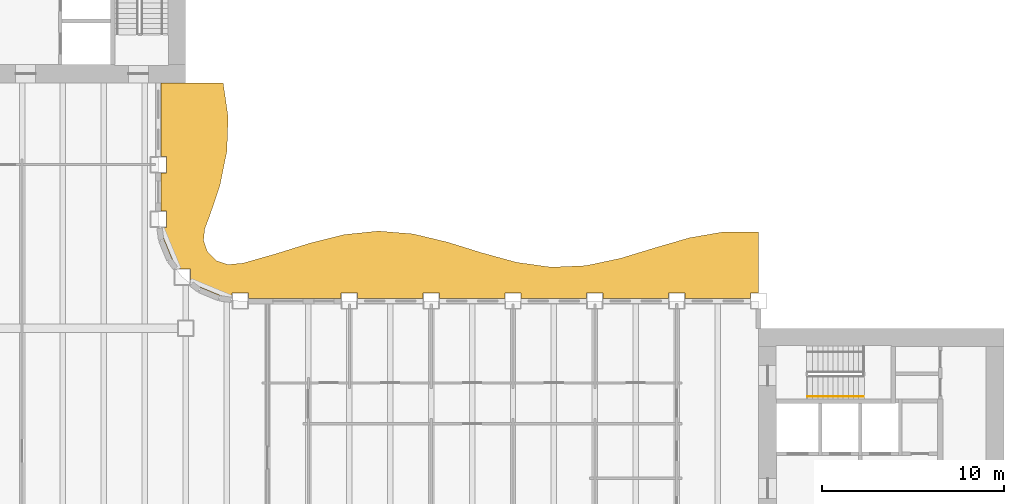
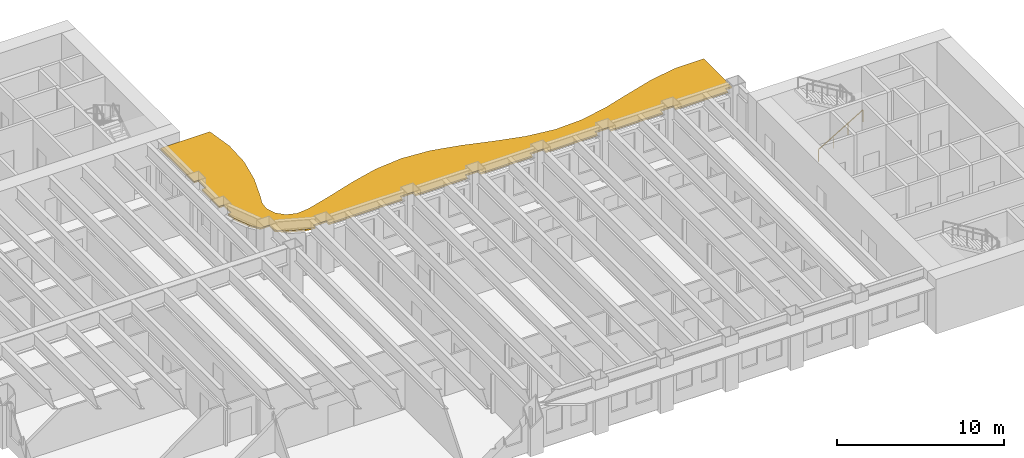
# One storey, part 14 of 16: 1 railing, 1 shading device.
"""IFC4 building model written with IfcOpenShell, lengths in metres."""

from ifc_helpers import new_model, si_unit, direction, frame, origin, origin_2d, place, context, subcontext, project, spatial, polyline, rectangle, outline, extrude, material, layer, layer_set, type_object, element, save


model = new_model("IFC4")

# Units and contexts
model_context = context("Model", 3, precision=1e-05, world=origin(), true_north=direction((0.0, 1.0)))
body_context = subcontext(model_context, "Body", "Model", "MODEL_VIEW")
ifc_project = project(units=[si_unit("LENGTHUNIT", "METRE"), si_unit("AREAUNIT", "SQUARE_METRE"), si_unit("VOLUMEUNIT", "CUBIC_METRE"), si_unit("PLANEANGLEUNIT", "RADIAN"), si_unit("MASSUNIT", "GRAM", prefix="KILO")], contexts=[model_context])

# Site, building, storey
site_placement = place(None, origin())
site = spatial("IfcSite", under=ifc_project, at=site_placement, CompositionType="ELEMENT")
building_placement = place(site_placement, origin())
building = spatial("IfcBuilding", under=site, at=building_placement, Name="Sennacour Bend Tower", CompositionType="ELEMENT")
storey_placement = place(building_placement, frame((0.0, 0.0, 179.0)))
storey = spatial("IfcBuildingStorey", under=building, at=storey_placement, Name="L41", CompositionType="ELEMENT", Elevation=179.0)

# Railing
ifc_material_1 = material(Name="Stainless steel", Category="steel")
railing_type = type_object("IfcRailingType", Name="RL-HANDRAIL-900", PredefinedType="HANDRAIL", material=ifc_material_1)
railing_placement = place(storey_placement, frame((56.699951171875, 18.75, 0.166748046875)))
element("IfcRailing", 1, at=railing_placement, inside=storey, type_object=railing_type, Name="L41 SA2 stair handrail 1", PredefinedType="HANDRAIL", context=body_context, shape_type="SweptSolid", body=[
    extrude(rectangle(XDim=0.048095703125, YDim=0.048095703125, at=origin_2d()), frame((0.0, 0.0, 0.8759765625), z_axis=(0.859308565015, 0.0, 0.511457515432), x_axis=(0.0, 1.0, 0.0)), (0.0, 0.0, 1.0), 3.58447265625),
    extrude(rectangle(XDim=0.0419921875, YDim=0.0419921875, at=origin_2d()), origin(), (0.0, 0.0, 1.0), 0.851806640625),
    extrude(rectangle(XDim=0.0419921875, YDim=0.0419921875, at=origin_2d()), frame((1.026611328125, 0.0, 0.611083984375)), (0.0, 0.0, 1.0), 0.851806640625),
    extrude(rectangle(XDim=0.0419921875, YDim=0.0419921875, at=origin_2d()), frame((2.053466796875, 0.0, 1.22216796875)), (0.0, 0.0, 1.0), 0.851806640625),
    extrude(rectangle(XDim=0.0419921875, YDim=0.0419921875, at=origin_2d()), frame((3.080078125, 0.0, 1.833251953125)), (0.0, 0.0, 1.0), 0.851806640625),
])

# Shading device
ifc_material_2 = material(Name="Bronze anodised aluminium", Category="aluminium")
ifc_layer = layer(ifc_material_2, 0.1201171875, Name="Bronze anodised aluminium", Category="aluminium")
ifc_layer_set = layer_set([ifc_layer], Name="Bronze anodised aluminium")
shading_device_type = type_object("IfcShadingDeviceType", Name="SUNSHADE BAND WAVE", PredefinedType="USERDEFINED", material=ifc_layer_set)
shading_device_placement = place(storey_placement, frame((0.0, 0.0, 3.029052734375)))
element("IfcShadingDevice", 2, at=shading_device_placement, inside=storey, type_object=shading_device_type, Name="Sunshade band L41 concave faces", ObjectType="SUNSHADE", PredefinedType="USERDEFINED", context=body_context, shape_type="SweptSolid", body=[
    extrude(outline(polyline([(53.550048828125, 24.14990234375), (49.949951171875, 24.14990234375), (49.949951171875, 24.449951171875), (49.050048828125, 24.449951171875), (49.050048828125, 24.14990234375), (45.449951171875, 24.14990234375), (45.449951171875, 24.449951171875), (44.550048828125, 24.449951171875), (44.550048828125, 24.14990234375), (40.949951171875, 24.14990234375), (40.949951171875, 24.449951171875), (40.050048828125, 24.449951171875), (40.050048828125, 24.14990234375), (36.449951171875, 24.14990234375), (36.449951171875, 24.449951171875), (35.550048828125, 24.449951171875), (35.550048828125, 24.14990234375), (31.949951171875, 24.14990234375), (31.949951171875, 24.449951171875), (31.050048828125, 24.449951171875), (31.050048828125, 24.14990234375), (25.949951171875, 24.14990234375), (25.949951171875, 24.449951171875), (25.050048828125, 24.449951171875), (25.050048828125, 24.21044921875), (24.37451171875, 24.299560546875), (23.32568359375, 24.73388671875), (22.76806640625, 25.16162109375), (22.76806640625, 25.76806640625), (22.16162109375, 25.76806640625), (21.73388671875, 26.32568359375), (21.299560546875, 27.37451171875), (21.21044921875, 28.050048828125), (21.449951171875, 28.050048828125), (21.449951171875, 28.949951171875), (21.14990234375, 28.949951171875), (21.14990234375, 31.050048828125), (21.449951171875, 31.050048828125), (21.449951171875, 31.949951171875), (21.14990234375, 31.949951171875), (21.14990234375, 36.0), (24.560791015625, 36.0), (24.8330078125, 34.125), (24.76708984375, 32.25), (24.38623046875, 30.375), (23.82080078125, 28.684814453125), (23.548828125, 27.977294921875), (23.4814453125, 27.334716796875), (23.700439453125, 26.700439453125), (24.18359375, 26.219970703125), (24.831787109375, 26.005859375), (25.636474609375, 26.081787109375), (27.39990234375, 26.58056640625), (29.300048828125, 27.174072265625), (31.199951171875, 27.6533203125), (33.10009765625, 27.849365234375), (35.0, 27.693115234375), (36.89990234375, 27.2392578125), (38.800048828125, 26.648193359375), (40.699951171875, 26.12841796875), (42.60009765625, 25.863037109375), (44.5, 25.94580078125), (46.39990234375, 26.347412109375), (48.300048828125, 26.926025390625), (50.199951171875, 27.47802734375), (52.10009765625, 27.80859375), (54.0, 27.801025390625), (54.0, 24.449951171875), (53.550048828125, 24.449951171875), (53.550048828125, 24.14990234375)])), origin(), (0.0, 0.0, 1.0), 0.119873046875),
])

save(model, "model.ifc")
